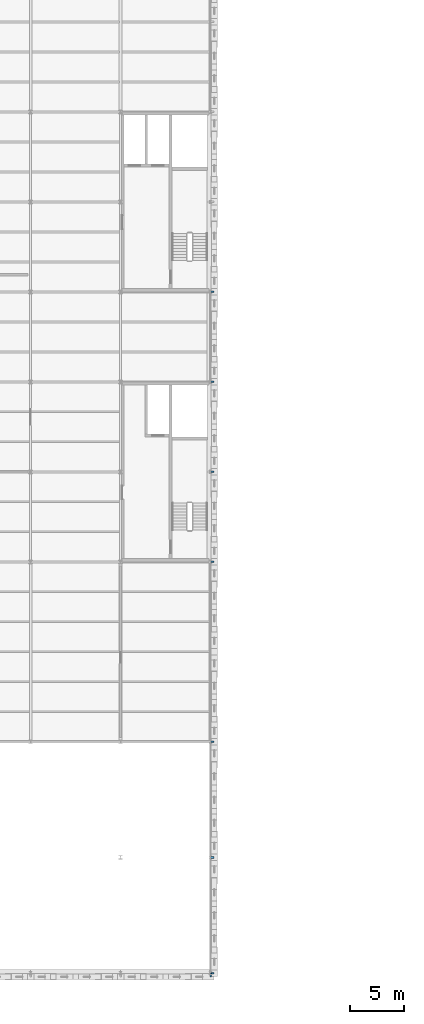
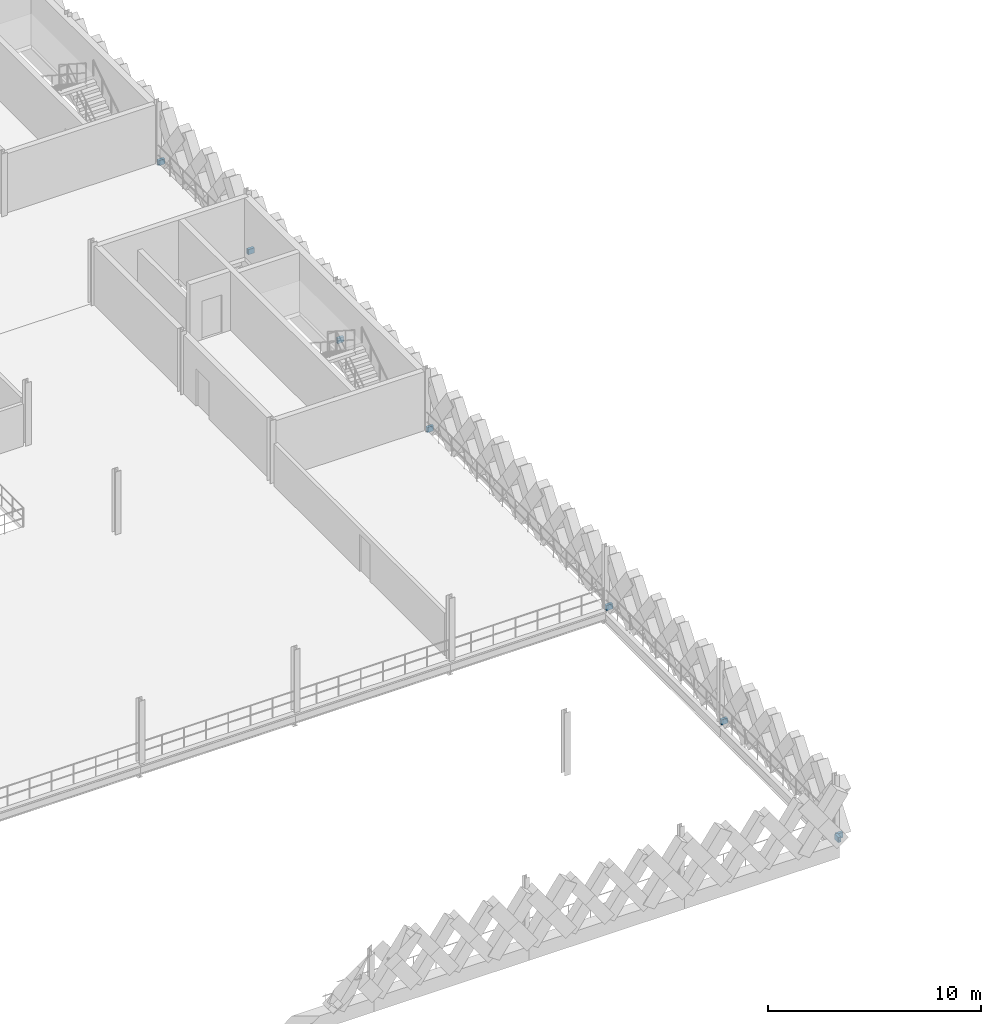
# One storey, part 29 of 47: 8 members.
"""IFC4 building model written with IfcOpenShell, lengths in metres."""

import ifcopenshell
import ifcopenshell.guid

model = None  # the IFC model being written
_history = None  # IfcOwnerHistory: only IFC2X3 demands one
_inside = {}  # id of a spatial element -> (the spatial element, [elements in it])
_under = {}  # id of a project, library or spatial element -> (it, [spatial elements below it])
_declared = {}  # id of a project -> (the project, [libraries it declares])
_typed = {}  # id of a type object -> (the type object, [elements of that type])
_made_of = {}  # id of a material, layer set ... -> (it, [elements and type objects made of it])


def new_model(schema):
    """Start an empty IFC model of exactly this schema.

    Asked for "IFC4X3", IfcOpenShell would pick the latest addendum, in which some entities
    have other attributes; the version numbers below select the first issue.
    IFC2X3 requires an IfcOwnerHistory on every rooted entity: one is made here for all.
    """
    global model, _history
    if schema == "IFC4X3":
        model = ifcopenshell.file(schema_version=(4, 3, 0, 0))
    else:
        model = ifcopenshell.file(schema=schema)
    _inside.clear()
    _under.clear()
    _declared.clear()
    _typed.clear()
    _made_of.clear()
    _history = None
    if model.schema == "IFC2X3":
        org = make("IfcOrganization", Name="unknown")
        user = make(
            "IfcPersonAndOrganization",
            ThePerson=make("IfcPerson", FamilyName="unknown"),
            TheOrganization=org,
        )
        app = make(
            "IfcApplication",
            ApplicationDeveloper=org,
            Version="unknown",
            ApplicationFullName="unknown",
            ApplicationIdentifier="unknown",
        )
        _history = make(
            "IfcOwnerHistory",
            OwningUser=user,
            OwningApplication=app,
            ChangeAction="ADDED",
            CreationDate=0,
        )
    return model


def make(cls, **values):
    """One entity of the class cls with the attributes given. An attribute that is None is left unset."""
    return model.create_entity(
        cls, **{name: value for name, value in values.items() if value is not None}
    )


def rooted(cls, **values):
    """An entity with a GlobalId (a new one), such as an element, a storey or a relation."""
    return make(cls, GlobalId=ifcopenshell.guid.new(), OwnerHistory=_history, **values)


def si_unit(unit_type, name, prefix=None):
    """IfcSIUnit, for example si_unit("LENGTHUNIT", "METRE", prefix="MILLI")."""
    return make("IfcSIUnit", UnitType=unit_type, Prefix=prefix, Name=name)


def assignment(units):
    """IfcUnitAssignment: the units of a project."""
    return None if units is None else make("IfcUnitAssignment", Units=units)


def point(xyz):
    """IfcCartesianPoint."""
    return None if xyz is None else make("IfcCartesianPoint", Coordinates=xyz)


def direction(xyz):
    """IfcDirection."""
    return None if xyz is None else make("IfcDirection", DirectionRatios=xyz)


def frame(location, z_axis=None, x_axis=None):
    """IfcAxis2Placement3D, a coordinate frame: its origin and axes. An axis left out is left unset."""
    return make(
        "IfcAxis2Placement3D",
        Location=point(location),
        Axis=direction(z_axis),
        RefDirection=direction(x_axis),
    )


def frame_2d(location, x_axis=None):
    """IfcAxis2Placement2D, a coordinate frame in the plane: its origin and x axis."""
    return make(
        "IfcAxis2Placement2D", Location=point(location), RefDirection=direction(x_axis)
    )


def origin():
    """The frame at (0, 0, 0) with its axes left unset."""
    return frame((0.0, 0.0, 0.0))


def origin_2d():
    """The frame at (0, 0) in the plane with its x axis left unset."""
    return frame_2d((0.0, 0.0))


def place(relative_to, where):
    """IfcLocalPlacement: puts the frame where relative to a parent placement (None: the world)."""
    return make(
        "IfcLocalPlacement", PlacementRelTo=relative_to, RelativePlacement=where
    )


def context(
    kind, dimensions, precision=None, world=None, true_north=None, identifier=None
):
    """IfcGeometricRepresentationContext, for example the 3D "Model" context."""
    return make(
        "IfcGeometricRepresentationContext",
        ContextIdentifier=identifier,
        ContextType=kind,
        CoordinateSpaceDimension=dimensions,
        Precision=precision,
        WorldCoordinateSystem=world,
        TrueNorth=true_north,
    )


def subcontext(parent, identifier, kind, view, scale=None):
    """IfcGeometricRepresentationSubContext, for example "Body" below "Model"."""
    return make(
        "IfcGeometricRepresentationSubContext",
        ContextIdentifier=identifier,
        ContextType=kind,
        ParentContext=parent,
        TargetScale=scale,
        TargetView=view,
    )


def project(units=None, contexts=None):
    """IfcProject with its units and contexts."""
    return rooted(
        "IfcProject",
        Name="project",
        RepresentationContexts=contexts,
        UnitsInContext=assignment(units),
    )


def spatial(cls, under=None, at=None, **own):
    """A site, building, storey or space (cls), placed at a placement, below another one or the project."""
    s = rooted(cls, ObjectPlacement=at, **own)
    if under is not None:
        _under.setdefault(under.id(), (under, []))[1].append(s)
    return s


def profile(cls, at=None, kind="AREA", **sizes):
    """A parametric profile (cls). Its sizes go by their IFC names, for example OverallWidth=200.0."""
    return make(cls, ProfileType=kind, Position=at, **sizes)


def hollow_rectangle(**sizes):
    """IfcRectangleHollowProfileDef."""
    return profile("IfcRectangleHollowProfileDef", **sizes)


def extrude(swept, where, along, depth):
    """IfcExtrudedAreaSolid: the profile swept, set in the frame where, extruded along a direction by depth."""
    return make(
        "IfcExtrudedAreaSolid",
        SweptArea=swept,
        Position=where,
        ExtrudedDirection=direction(along),
        Depth=depth,
    )


def shape(context_of_items, identifier, shape_type, items):
    """IfcShapeRepresentation: the items that make up one representation, for example the "Body"."""
    return make(
        "IfcShapeRepresentation",
        ContextOfItems=context_of_items,
        RepresentationIdentifier=identifier,
        RepresentationType=shape_type,
        Items=items,
    )


def material(Name=None, Category=None):
    """IfcMaterial."""
    return make("IfcMaterial", Name=Name, Category=Category)


def material_profile(
    of_material, cross_section, Name=None, Category=None, Priority=None
):
    """IfcMaterialProfile: a cross section and its material."""
    return make(
        "IfcMaterialProfile",
        Name=Name,
        Material=of_material,
        Profile=cross_section,
        Priority=Priority,
        Category=Category,
    )


def profile_set(profiles, Name=None, composite=None):
    """IfcMaterialProfileSet."""
    return make(
        "IfcMaterialProfileSet",
        Name=Name,
        MaterialProfiles=profiles,
        CompositeProfile=composite,
    )


def made_of(thing, what):
    """Note that an element or type object is made of a material, layer set ...; save() writes the relation."""
    if what is not None:
        _made_of.setdefault(what.id(), (what, []))[1].append(thing)
    return thing


def type_object(cls, material=None, **own):
    """A type object (cls), such as IfcWallType, which elements share."""
    return made_of(rooted(cls, **own), material)


def element(
    cls,
    number,
    at=None,
    inside=None,
    cuts=None,
    type_object=None,
    material=None,
    context=None,
    identifier="Body",
    shape_type=None,
    held_by="IfcProductDefinitionShape",
    body=None,
    shapes=None,
    **own,
):
    """One element of the class cls, such as IfcWall. Its Tag is "e" and its number.

    at: its placement. inside: the storey or other place that contains it. cuts: it is an
    opening in that element (IfcRelVoidsElement). A single representation is given by context,
    identifier, shape_type and body (its items); several are given by shapes. held_by: the class
    of the entity that holds the representations. save() writes the other relations.
    """
    e = rooted(cls, Tag="e%d" % number, ObjectPlacement=at, **own)
    if body is not None:
        shapes = [shape(context, identifier, shape_type, body)]
    if shapes is not None:
        e.Representation = make(held_by, Representations=shapes)
    if inside is not None:
        _inside.setdefault(inside.id(), (inside, []))[1].append(e)
    if cuts is not None:
        rooted(
            "IfcRelVoidsElement", RelatingBuildingElement=cuts, RelatedOpeningElement=e
        )
    if type_object is not None:
        _typed.setdefault(type_object.id(), (type_object, []))[1].append(e)
    return made_of(e, material)


def aggregate(whole, parts):
    """IfcRelAggregates: a whole, such as a stair, and the parts it consists of."""
    return rooted("IfcRelAggregates", RelatingObject=whole, RelatedObjects=parts)


def save(model, path):
    """Write the relations noted so far, then the file.

    IfcRelAggregates (storeys below a building ...), IfcRelContainedInSpatialStructure (elements
    in a storey), IfcRelDefinesByType, IfcRelAssociatesMaterial and IfcRelDeclares: one each for
    every whole, place, type object, material and project.
    """
    for whole, parts in _under.values():
        aggregate(whole, parts)
    for where, things in _inside.values():
        rooted(
            "IfcRelContainedInSpatialStructure",
            RelatedElements=things,
            RelatingStructure=where,
        )
    for kind, things in _typed.values():
        rooted("IfcRelDefinesByType", RelatedObjects=things, RelatingType=kind)
    for what, things in _made_of.values():
        rooted("IfcRelAssociatesMaterial", RelatedObjects=things, RelatingMaterial=what)
    for by, libraries in _declared.values():
        rooted("IfcRelDeclares", RelatingContext=by, RelatedDefinitions=libraries)
    model.write(path)


model = new_model("IFC4")

# Units and contexts
model_context = context("Model", 3, precision=1e-05, world=origin(), true_north=direction((0.0, 1.0)))
body_context = subcontext(model_context, "Body", "Model", "MODEL_VIEW")
ifc_project = project(units=[si_unit("LENGTHUNIT", "METRE"), si_unit("AREAUNIT", "SQUARE_METRE"), si_unit("VOLUMEUNIT", "CUBIC_METRE"), si_unit("PLANEANGLEUNIT", "RADIAN"), si_unit("MASSUNIT", "GRAM", prefix="KILO"), si_unit("THERMODYNAMICTEMPERATUREUNIT", "KELVIN"), si_unit("POWERUNIT", "WATT")], contexts=[model_context])

# Site, building, storey
site_placement = place(None, origin())
site = spatial("IfcSite", under=ifc_project, at=site_placement, CompositionType="ELEMENT")
building_placement = place(site_placement, origin())
building = spatial("IfcBuilding", under=site, at=building_placement, Name="Tembeka Court Mobility Hub", CompositionType="ELEMENT")
storey_placement = place(building_placement, frame((0.0, 0.0, 19.800048828125)))
storey = spatial("IfcBuildingStorey", under=building, at=storey_placement, Name="L05", CompositionType="ELEMENT", Elevation=19.800048828125)

# Members
ifc_material = material(Name="Steel S355", Category="steel")
ifc_material_profile = material_profile(ifc_material, hollow_rectangle(XDim=0.14990234375, YDim=0.300048828125, WallThickness=0.010009765625, at=origin_2d()), Name="RHS 300x150x10")
ifc_profile_set = profile_set([ifc_material_profile], Name="Steel S355")
member_type = type_object("IfcMemberType", Name="MEM-ST03", PredefinedType="STRUT", material=ifc_profile_set)
for number, where, z_axis, x_axis, name in (
    (1, (92.39990234375, 0.0, 0.02001953125), (0.0, -1.0, 0.0), (1.0, 0.0, 0.0), "Lattice outrigger tie SR03 (L05-Y-92)"),
    (2, (92.39990234375, 0.0, 0.02001953125), (1.0, 0.0, 0.0), (0.0, 1.0, 0.0), "Lattice outrigger tie SR03 (L05-X-0)"),
    (3, (92.39990234375, 10.800048828125, 0.02001953125), (1.0, 0.0, 0.0), (0.0, 1.0, 0.0), "Lattice outrigger tie SR03 (L05-X-10)"),
    (4, (92.39990234375, 21.60009765625, 0.02001953125), (1.0, 0.0, 0.0), (0.0, 1.0, 0.0), "Lattice outrigger tie SR03 (L05-X-21)"),
    (5, (92.39990234375, 38.39990234375, 0.02001953125), (1.0, 0.0, 0.0), (0.0, 1.0, 0.0), "Lattice outrigger tie SR03 (L05-X-38)"),
    (6, (92.39990234375, 46.800048828125, 0.02001953125), (1.0, 0.0, 0.0), (0.0, 1.0, 0.0), "Lattice outrigger tie SR03 (L05-X-46)"),
    (7, (92.39990234375, 55.199951171875, 0.02001953125), (1.0, 0.0, 0.0), (0.0, 1.0, 0.0), "Lattice outrigger tie SR03 (L05-X-55)"),
    (8, (92.39990234375, 63.60009765625, 0.02001953125), (1.0, 0.0, 0.0), (0.0, 1.0, 0.0), "Lattice outrigger tie SR03 (L05-X-63)"),
):
    element("IfcMember", number, at=place(storey_placement, frame(where, z_axis=z_axis, x_axis=x_axis)), inside=storey, type_object=member_type, Name=name, PredefinedType="STRUT", context=body_context, shape_type="SweptSolid", body=[
        extrude(hollow_rectangle(XDim=0.14990234375, YDim=0.300048828125, WallThickness=0.010009765625, at=origin_2d()), origin(), (0.0, 0.0, 1.0), 0.340087890625),
    ])

save(model, "model.ifc")
